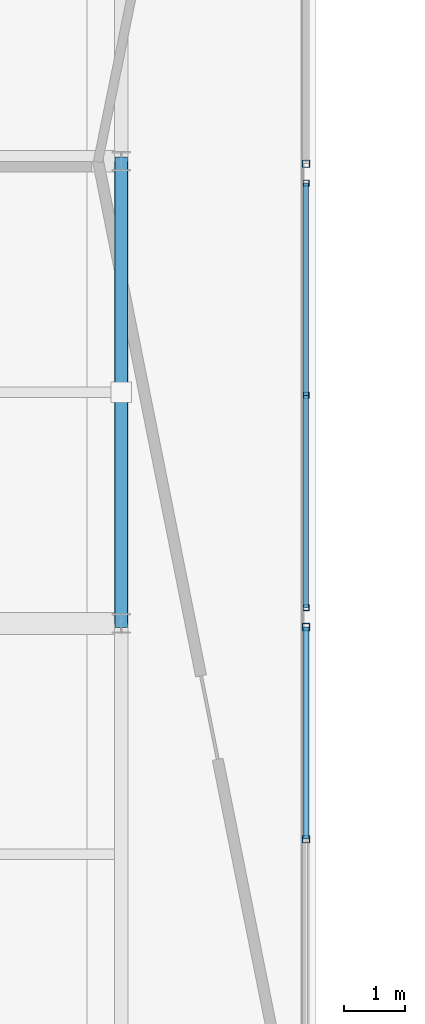
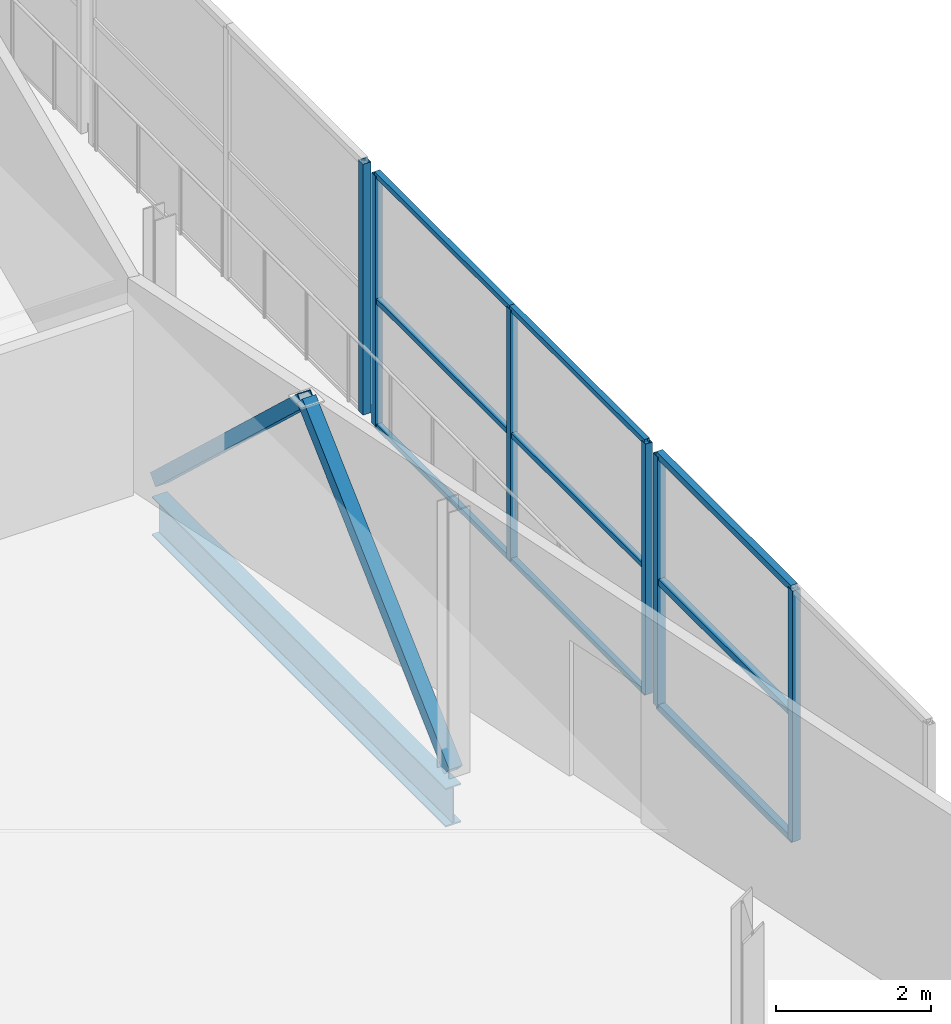
# One storey, part 25 of 151: 17 members, 1 beam, 3 elements without a shape of their own.
"""IFC4 building model written with IfcOpenShell, lengths in metres."""

from ifc_helpers import new_model, si_unit, direction, frame, origin, origin_2d, place, context, subcontext, project, spatial, hollow_rectangle, i_section, extrude, material, material_profile, profile_set, type_object, element, aggregate, save


model = new_model("IFC4")

# Units and contexts
model_context = context("Model", 3, precision=1e-05, world=origin(), true_north=direction((0.0, 1.0)))
body_context = subcontext(model_context, "Body", "Model", "MODEL_VIEW")
ifc_project = project(units=[si_unit("LENGTHUNIT", "METRE"), si_unit("AREAUNIT", "SQUARE_METRE"), si_unit("VOLUMEUNIT", "CUBIC_METRE"), si_unit("PLANEANGLEUNIT", "RADIAN"), si_unit("MASSUNIT", "GRAM", prefix="KILO")], contexts=[model_context])

# Site, building, storey
site_placement = place(None, origin())
site = spatial("IfcSite", under=ifc_project, at=site_placement, CompositionType="ELEMENT")
building_placement = place(site_placement, origin())
building = spatial("IfcBuilding", under=site, at=building_placement, Name="Zuvorla Pavilion Media Centre", CompositionType="ELEMENT")
storey_placement = place(building_placement, frame((0.0, 0.0, 13.800048828125)))
storey = spatial("IfcBuildingStorey", under=building, at=storey_placement, Name="L03", CompositionType="ELEMENT", Elevation=13.800048828125)

# Beam
ifc_material_1 = material(Name="Steel S355", Category="steel")
ifc_material_profile_1 = material_profile(ifc_material_1, i_section(OverallWidth=0.22900390625, OverallDepth=0.6123046875, WebThickness=0.011962890625, FlangeThickness=0.01953125, FilletRadius=0.0126953125, at=origin_2d()), Name="UB 610x229x125")
ifc_profile_set_1 = profile_set([ifc_material_profile_1], Name="Steel S355")
beam_type = type_object("IfcBeamType", Name="BM-UB610", PredefinedType="BEAM", material=ifc_profile_set_1)
beam_placement = place(storey_placement, frame((24.800048828125, 59.199951171875, -0.564208984375), z_axis=(0.0, 1.0, 0.0), x_axis=(-1.0, 0.0, 0.0)))
element("IfcBeam", 1, at=beam_placement, inside=storey, type_object=beam_type, Name="L03 beam B07 1153", PredefinedType="BEAM", context=body_context, shape_type="SweptSolid", body=[
    extrude(i_section(OverallWidth=0.22900390625, OverallDepth=0.6123046875, WebThickness=0.011962890625, FlangeThickness=0.01953125, FilletRadius=0.0126953125, at=origin_2d()), origin(), (0.0, 0.0, 1.0), 7.60009765625),
])

# Curtain wall, members
ifc_material_2 = material(Name="Unitised anodised aluminium and solar glass curtain wall", Category="aluminium")
curtain_wall_type_1 = type_object("IfcCurtainWallType", Name="CW-SYS-24", PredefinedType="USERDEFINED", material=ifc_material_2)
curtain_wall_1_placement = place(storey_placement, origin())
curtain_wall_1 = element("IfcCurtainWall", 2, at=curtain_wall_1_placement, inside=storey, type_object=curtain_wall_type_1, Name="L03 curtain wall CW24 188", ObjectType="CURTAIN WALL", PredefinedType="USERDEFINED")
ifc_material_3 = material(Name="Anodised aluminium 6063-T6", Category="aluminium")
ifc_material_profile_2 = material_profile(ifc_material_3, hollow_rectangle(XDim=0.10009765625, YDim=0.10009765625, WallThickness=0.00439453125, at=origin_2d()), Name="ALU MULL 100x100")
ifc_profile_set_2 = profile_set([ifc_material_profile_2], Name="Anodised aluminium 6063-T6")
member_type_1 = type_object("IfcMemberType", Name="CW-MULL-100", PredefinedType="MULLION", material=ifc_profile_set_2)
member_1_placement = place(storey_placement, frame((27.840087890625, 66.43994140625, 0.0), z_axis=(0.0, 0.0, 1.0), x_axis=(1.0, 0.0, 0.0)))
member_1 = element("IfcMember", 3, at=member_1_placement, type_object=member_type_1, Name="CW24 mullion 1", PredefinedType="MULLION", context=body_context, shape_type="SweptSolid", body=[
    extrude(hollow_rectangle(XDim=0.10009765625, YDim=0.10009765625, WallThickness=0.00439453125, at=origin_2d()), origin(), (0.0, 0.0, 1.0), 3.9599609375),
])
member_2_placement = place(storey_placement, frame((27.840087890625, 62.949951171875, 0.0), z_axis=(0.0, 0.0, 1.0), x_axis=(1.0, 0.0, 0.0)))
member_2 = element("IfcMember", 4, at=member_2_placement, type_object=member_type_1, Name="CW24 mullion 2", PredefinedType="MULLION", context=body_context, shape_type="SweptSolid", body=[
    extrude(hollow_rectangle(XDim=0.10009765625, YDim=0.10009765625, WallThickness=0.00439453125, at=origin_2d()), origin(), (0.0, 0.0, 1.0), 3.9599609375),
])
member_3_placement = place(storey_placement, frame((27.840087890625, 59.4599609375, 0.0), z_axis=(0.0, 0.0, 1.0), x_axis=(1.0, 0.0, 0.0)))
member_3 = element("IfcMember", 5, at=member_3_placement, type_object=member_type_1, Name="CW24 mullion 3", PredefinedType="MULLION", context=body_context, shape_type="SweptSolid", body=[
    extrude(hollow_rectangle(XDim=0.10009765625, YDim=0.10009765625, WallThickness=0.00439453125, at=origin_2d()), origin(), (0.0, 0.0, 1.0), 3.9599609375),
])

curtain_wall_type_2 = type_object("IfcCurtainWallType", Name="CW-SYS-57", PredefinedType="USERDEFINED", material=ifc_material_2)
curtain_wall_2_placement = place(storey_placement, origin())
curtain_wall_2 = element("IfcCurtainWall", 6, at=curtain_wall_2_placement, inside=storey, type_object=curtain_wall_type_2, Name="L03 curtain wall CW57 186", ObjectType="CURTAIN WALL", PredefinedType="USERDEFINED")
ifc_material_profile_3 = material_profile(ifc_material_3, hollow_rectangle(XDim=0.1201171875, YDim=0.1201171875, WallThickness=0.0048828125, at=origin_2d()), Name="ALU MULL 120x120")
ifc_profile_set_3 = profile_set([ifc_material_profile_3], Name="Anodised aluminium 6063-T6")
member_type_2 = type_object("IfcMemberType", Name="CW-MULL-120", PredefinedType="MULLION", material=ifc_profile_set_3)
member_4_placement = place(storey_placement, frame((27.840087890625, 59.139892578125, 0.0), z_axis=(0.0, 0.0, 1.0), x_axis=(1.0, 0.0, 0.0)))
member_4 = element("IfcMember", 7, at=member_4_placement, type_object=member_type_2, Name="CW57 mullion 1", PredefinedType="MULLION", context=body_context, shape_type="SweptSolid", body=[
    extrude(hollow_rectangle(XDim=0.1201171875, YDim=0.1201171875, WallThickness=0.0048828125, at=origin_2d()), origin(), (0.0, 0.0, 1.0), 3.9599609375),
])
member_5_placement = place(storey_placement, frame((27.840087890625, 55.64990234375, 0.0), z_axis=(0.0, 0.0, 1.0), x_axis=(1.0, 0.0, 0.0)))
member_5 = element("IfcMember", 8, at=member_5_placement, type_object=member_type_2, Name="CW57 mullion 2", PredefinedType="MULLION", context=body_context, shape_type="SweptSolid", body=[
    extrude(hollow_rectangle(XDim=0.1201171875, YDim=0.1201171875, WallThickness=0.0048828125, at=origin_2d()), origin(), (0.0, 0.0, 1.0), 3.9599609375),
])

# Curtain wall, member
curtain_wall_type_3 = type_object("IfcCurtainWallType", Name="CW-SYS-58", PredefinedType="USERDEFINED", material=ifc_material_2)
curtain_wall_3_placement = place(storey_placement, origin())
curtain_wall_3 = element("IfcCurtainWall", 9, at=curtain_wall_3_placement, inside=storey, type_object=curtain_wall_type_3, Name="L03 curtain wall CW58 190", ObjectType="CURTAIN WALL", PredefinedType="USERDEFINED")
member_6_placement = place(storey_placement, frame((27.840087890625, 66.760009765625, 0.0), z_axis=(0.0, 0.0, 1.0), x_axis=(1.0, 0.0, 0.0)))
member_6 = element("IfcMember", 10, at=member_6_placement, type_object=member_type_2, Name="CW58 mullion 3", PredefinedType="MULLION", context=body_context, shape_type="SweptSolid", body=[
    extrude(hollow_rectangle(XDim=0.1201171875, YDim=0.1201171875, WallThickness=0.0048828125, at=origin_2d()), origin(), (0.0, 0.0, 1.0), 3.9599609375),
])
aggregate(curtain_wall_3, [member_6])

# Member
ifc_material_profile_4 = material_profile(ifc_material_3, hollow_rectangle(XDim=0.10009765625, YDim=0.10009765625, WallThickness=0.00439453125, at=origin_2d()), Name="ALU TRAN 100x100")
ifc_profile_set_4 = profile_set([ifc_material_profile_4], Name="Anodised aluminium 6063-T6")
member_type_3 = type_object("IfcMemberType", Name="CW-TRAN-100", PredefinedType="USERDEFINED", material=ifc_profile_set_4)
member_7_placement = place(storey_placement, frame((27.840087890625, 59.139892578125, 0.0), z_axis=(0.0, -1.0, 0.0), x_axis=(1.0, 0.0, 0.0)))
member_7 = element("IfcMember", 11, at=member_7_placement, type_object=member_type_3, Name="CW57 transom 1.1", ObjectType="TRANSOM", PredefinedType="USERDEFINED", context=body_context, shape_type="SweptSolid", body=[
    extrude(hollow_rectangle(XDim=0.10009765625, YDim=0.10009765625, WallThickness=0.00439453125, at=origin_2d()), origin(), (0.0, 0.0, 1.0), 3.489990234375),
])

member_8_placement = place(storey_placement, frame((27.840087890625, 59.139892578125, 1.97998046875), z_axis=(0.0, -1.0, 0.0), x_axis=(1.0, 0.0, 0.0)))
member_8 = element("IfcMember", 12, at=member_8_placement, type_object=member_type_3, Name="CW57 transom 1.2", ObjectType="TRANSOM", PredefinedType="USERDEFINED", context=body_context, shape_type="SweptSolid", body=[
    extrude(hollow_rectangle(XDim=0.10009765625, YDim=0.10009765625, WallThickness=0.00439453125, at=origin_2d()), origin(), (0.0, 0.0, 1.0), 3.489990234375),
])

member_9_placement = place(storey_placement, frame((27.840087890625, 59.139892578125, 3.9599609375), z_axis=(0.0, -1.0, 0.0), x_axis=(1.0, 0.0, 0.0)))
member_9 = element("IfcMember", 13, at=member_9_placement, type_object=member_type_3, Name="CW57 transom 1.3", ObjectType="TRANSOM", PredefinedType="USERDEFINED", context=body_context, shape_type="SweptSolid", body=[
    extrude(hollow_rectangle(XDim=0.10009765625, YDim=0.10009765625, WallThickness=0.00439453125, at=origin_2d()), origin(), (0.0, 0.0, 1.0), 3.489990234375),
])

aggregate(curtain_wall_2, [member_4, member_5, member_7, member_8, member_9])

ifc_material_profile_5 = material_profile(ifc_material_3, hollow_rectangle(XDim=0.080078125, YDim=0.080078125, WallThickness=0.00390625, at=origin_2d()), Name="ALU TRAN 80x80")
ifc_profile_set_5 = profile_set([ifc_material_profile_5], Name="Anodised aluminium 6063-T6")
member_type_4 = type_object("IfcMemberType", Name="CW-TRAN-80", PredefinedType="USERDEFINED", material=ifc_profile_set_5)
member_10_placement = place(storey_placement, frame((27.840087890625, 66.43994140625, 0.0), z_axis=(0.0, -1.0, 0.0), x_axis=(1.0, 0.0, 0.0)))
member_10 = element("IfcMember", 14, at=member_10_placement, type_object=member_type_4, Name="CW24 transom 1.1", ObjectType="TRANSOM", PredefinedType="USERDEFINED", context=body_context, shape_type="SweptSolid", body=[
    extrude(hollow_rectangle(XDim=0.080078125, YDim=0.080078125, WallThickness=0.00390625, at=origin_2d()), origin(), (0.0, 0.0, 1.0), 3.489990234375),
])

member_11_placement = place(storey_placement, frame((27.840087890625, 66.43994140625, 1.97998046875), z_axis=(0.0, -1.0, 0.0), x_axis=(1.0, 0.0, 0.0)))
member_11 = element("IfcMember", 15, at=member_11_placement, type_object=member_type_4, Name="CW24 transom 1.2", ObjectType="TRANSOM", PredefinedType="USERDEFINED", context=body_context, shape_type="SweptSolid", body=[
    extrude(hollow_rectangle(XDim=0.080078125, YDim=0.080078125, WallThickness=0.00390625, at=origin_2d()), origin(), (0.0, 0.0, 1.0), 3.489990234375),
])

member_12_placement = place(storey_placement, frame((27.840087890625, 66.43994140625, 3.9599609375), z_axis=(0.0, -1.0, 0.0), x_axis=(1.0, 0.0, 0.0)))
member_12 = element("IfcMember", 16, at=member_12_placement, type_object=member_type_4, Name="CW24 transom 1.3", ObjectType="TRANSOM", PredefinedType="USERDEFINED", context=body_context, shape_type="SweptSolid", body=[
    extrude(hollow_rectangle(XDim=0.080078125, YDim=0.080078125, WallThickness=0.00390625, at=origin_2d()), origin(), (0.0, 0.0, 1.0), 3.489990234375),
])

member_13_placement = place(storey_placement, frame((27.840087890625, 62.949951171875, 0.0), z_axis=(0.0, -1.0, 0.0), x_axis=(1.0, 0.0, 0.0)))
member_13 = element("IfcMember", 17, at=member_13_placement, type_object=member_type_4, Name="CW24 transom 2.1", ObjectType="TRANSOM", PredefinedType="USERDEFINED", context=body_context, shape_type="SweptSolid", body=[
    extrude(hollow_rectangle(XDim=0.080078125, YDim=0.080078125, WallThickness=0.00390625, at=origin_2d()), origin(), (0.0, 0.0, 1.0), 3.489990234375),
])

member_14_placement = place(storey_placement, frame((27.840087890625, 62.949951171875, 1.97998046875), z_axis=(0.0, -1.0, 0.0), x_axis=(1.0, 0.0, 0.0)))
member_14 = element("IfcMember", 18, at=member_14_placement, type_object=member_type_4, Name="CW24 transom 2.2", ObjectType="TRANSOM", PredefinedType="USERDEFINED", context=body_context, shape_type="SweptSolid", body=[
    extrude(hollow_rectangle(XDim=0.080078125, YDim=0.080078125, WallThickness=0.00390625, at=origin_2d()), origin(), (0.0, 0.0, 1.0), 3.489990234375),
])

member_15_placement = place(storey_placement, frame((27.840087890625, 62.949951171875, 3.9599609375), z_axis=(0.0, -1.0, 0.0), x_axis=(1.0, 0.0, 0.0)))
member_15 = element("IfcMember", 19, at=member_15_placement, type_object=member_type_4, Name="CW24 transom 2.3", ObjectType="TRANSOM", PredefinedType="USERDEFINED", context=body_context, shape_type="SweptSolid", body=[
    extrude(hollow_rectangle(XDim=0.080078125, YDim=0.080078125, WallThickness=0.00390625, at=origin_2d()), origin(), (0.0, 0.0, 1.0), 3.489990234375),
])

aggregate(curtain_wall_1, [member_1, member_2, member_3, member_10, member_11, member_12, member_13, member_14, member_15])

# Members
ifc_material_profile_6 = material_profile(ifc_material_1, hollow_rectangle(XDim=0.199951171875, YDim=0.199951171875, WallThickness=0.010009765625, at=origin_2d()), Name="SHS 200x200x10")
ifc_profile_set_6 = profile_set([ifc_material_profile_6], Name="Steel S355")
member_type_5 = type_object("IfcMemberType", Name="MEM-BRC-SHS200", PredefinedType="BRACE", material=ifc_profile_set_6)
for number, where, z_axis, x_axis, name in (
    (20, (24.800048828125, 59.199951171875, 0.0), (0.0, 0.7307351431, 0.682661080361), (-1.0, 0.0, 0.0), "L03 diagonal brace BF01 851"),
    (21, (24.800048828125, 66.800048828125, 0.0), (0.0, -0.7307351431, 0.682661080361), (1.0, 0.0, 0.0), "L03 diagonal brace BF01 852"),
):
    element("IfcMember", number, at=place(storey_placement, frame(where, z_axis=z_axis, x_axis=x_axis)), inside=storey, type_object=member_type_5, Name=name, PredefinedType="BRACE", context=body_context, shape_type="SweptSolid", body=[
        extrude(hollow_rectangle(XDim=0.199951171875, YDim=0.199951171875, WallThickness=0.010009765625, at=origin_2d()), origin(), (0.0, 0.0, 1.0), 5.2001953125),
    ])

save(model, "model.ifc")
